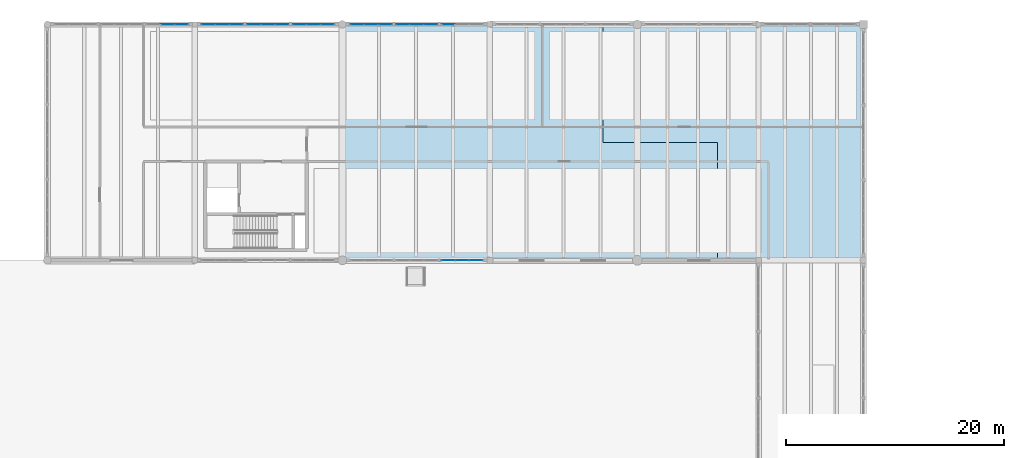
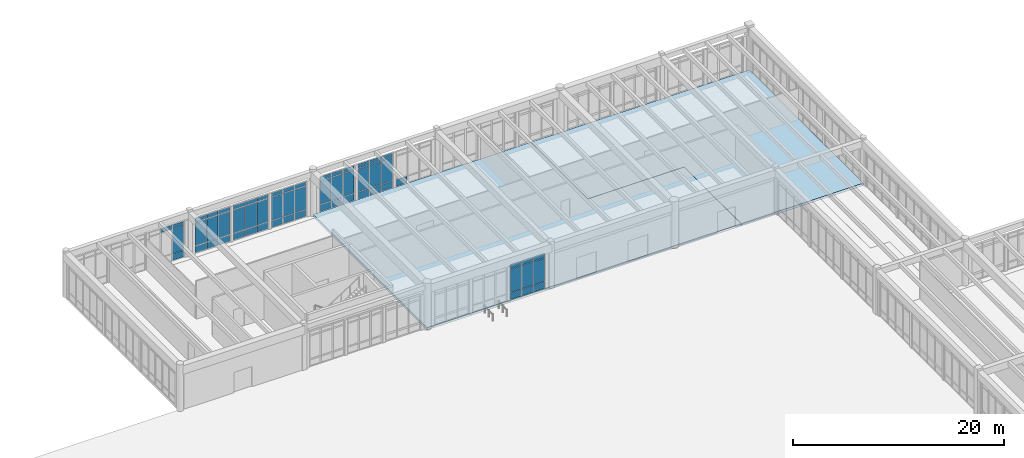
# One storey, part 96 of 138: 59 plates, 2 slabs, 8 elements without a shape of their own.
"""IFC4 building model written with IfcOpenShell, lengths in metres."""

from ifc_helpers import new_model, si_unit, direction, frame, origin, origin_2d, place, context, subcontext, project, spatial, polyline, rectangle, outline, extrude, material, layer, layer_set, type_object, element, aggregate, save


model = new_model("IFC4")

# Units and contexts
model_context = context("Model", 3, precision=1e-05, world=origin(), true_north=direction((0.0, 1.0)))
body_context = subcontext(model_context, "Body", "Model", "MODEL_VIEW")
ifc_project = project(units=[si_unit("LENGTHUNIT", "METRE"), si_unit("AREAUNIT", "SQUARE_METRE"), si_unit("VOLUMEUNIT", "CUBIC_METRE"), si_unit("PLANEANGLEUNIT", "RADIAN"), si_unit("MASSUNIT", "GRAM", prefix="KILO")], contexts=[model_context])

# Site, building, storey
site_placement = place(None, origin())
site = spatial("IfcSite", under=ifc_project, at=site_placement, CompositionType="ELEMENT")
building_placement = place(site_placement, origin())
building = spatial("IfcBuilding", under=site, at=building_placement, Name="Fikremerkos Civic Library", CompositionType="ELEMENT")
storey_placement = place(building_placement, origin())
storey = spatial("IfcBuildingStorey", under=building, at=storey_placement, Name="L00", CompositionType="ELEMENT", Elevation=0.0)

# Curtain wall, plates
ifc_material_1 = material(Name="Anodized aluminium Frame", Category="aluminium")
ifc_layer_1 = layer(ifc_material_1, 0.159912109375, Name="Anodized aluminium Frame")
ifc_layer_set_1 = layer_set([ifc_layer_1], Name="Anodized aluminium Frame")
curtain_wall_type_1 = type_object("IfcCurtainWallType", Name="Unitised curtain wall CW-13 3700x3200", PredefinedType="USERDEFINED", material=ifc_layer_set_1)
curtain_wall_1_placement = place(storey_placement, origin())
curtain_wall_1 = element("IfcCurtainWall", 1, at=curtain_wall_1_placement, inside=storey, type_object=curtain_wall_type_1, Name="Unitised curtain wall CW-13 L00 #31", ObjectType="UNITISED CURTAIN WALL", PredefinedType="USERDEFINED")
ifc_material_2 = material(Name="Solar control double glazing", Category="glass")
ifc_layer_2 = layer(ifc_material_2, 0.028076171875, Name="Solar control double glazing")
ifc_layer_set_2 = layer_set([ifc_layer_2], Name="Solar control double glazing")
plate_type_1 = type_object("IfcPlateType", Name="Curtain glazing panel CWP-01 28", PredefinedType="CURTAIN_PANEL", material=ifc_layer_set_2)
plate_1_placement = place(storey_placement, frame((98.920166015625, 96.0, 0.06005859375), z_axis=(0.0, 0.0, 1.0), x_axis=(-1.0, 0.0, 0.0)))
plate_1 = element("IfcPlate", 2, at=plate_1_placement, type_object=plate_type_1, Name="CW-13 panel 1.1", PredefinedType="CURTAIN_PANEL", context=body_context, shape_type="SweptSolid", body=[
    extrude(rectangle(XDim=1.18359375, YDim=0.028076171875, at=origin_2d()), origin(), (0.0, 0.0, 1.0), 0.760009765625),
])
plate_2_placement = place(storey_placement, frame((98.920166015625, 96.0, 0.880126953125), z_axis=(0.0, 0.0, 1.0), x_axis=(-1.0, 0.0, 0.0)))
plate_2 = element("IfcPlate", 3, at=plate_2_placement, type_object=plate_type_1, Name="CW-13 panel 1.2", PredefinedType="CURTAIN_PANEL", context=body_context, shape_type="SweptSolid", body=[
    extrude(rectangle(XDim=1.18359375, YDim=0.028076171875, at=origin_2d()), origin(), (0.0, 0.0, 1.0), 2.669921875),
])
plate_3_placement = place(storey_placement, frame((98.920166015625, 96.0, 3.610107421875), z_axis=(0.0, 0.0, 1.0), x_axis=(-1.0, 0.0, 0.0)))
plate_3 = element("IfcPlate", 4, at=plate_3_placement, type_object=plate_type_1, Name="CW-13 panel 1.3", PredefinedType="CURTAIN_PANEL", context=body_context, shape_type="SweptSolid", body=[
    extrude(rectangle(XDim=1.18359375, YDim=0.028076171875, at=origin_2d()), origin(), (0.0, 0.0, 1.0), 0.4599609375),
])
plate_4_placement = place(storey_placement, frame((97.655517578125, 96.0, 0.06005859375), z_axis=(0.0, 0.0, 1.0), x_axis=(-1.0, 0.0, 0.0)))
plate_4 = element("IfcPlate", 5, at=plate_4_placement, type_object=plate_type_1, Name="CW-13 panel 2.1", PredefinedType="CURTAIN_PANEL", context=body_context, shape_type="SweptSolid", body=[
    extrude(rectangle(XDim=1.216064453125, YDim=0.028076171875, at=origin_2d()), origin(), (0.0, 0.0, 1.0), 0.760009765625),
])
plate_5_placement = place(storey_placement, frame((97.655517578125, 96.0, 0.880126953125), z_axis=(0.0, 0.0, 1.0), x_axis=(-1.0, 0.0, 0.0)))
plate_5 = element("IfcPlate", 6, at=plate_5_placement, type_object=plate_type_1, Name="CW-13 panel 2.2", PredefinedType="CURTAIN_PANEL", context=body_context, shape_type="SweptSolid", body=[
    extrude(rectangle(XDim=1.216064453125, YDim=0.028076171875, at=origin_2d()), origin(), (0.0, 0.0, 1.0), 2.669921875),
])
plate_6_placement = place(storey_placement, frame((97.655517578125, 96.0, 3.610107421875), z_axis=(0.0, 0.0, 1.0), x_axis=(-1.0, 0.0, 0.0)))
plate_6 = element("IfcPlate", 7, at=plate_6_placement, type_object=plate_type_1, Name="CW-13 panel 2.3", PredefinedType="CURTAIN_PANEL", context=body_context, shape_type="SweptSolid", body=[
    extrude(rectangle(XDim=1.216064453125, YDim=0.028076171875, at=origin_2d()), origin(), (0.0, 0.0, 1.0), 0.4599609375),
])
plate_7_placement = place(storey_placement, frame((96.390869140625, 96.0, 0.06005859375), z_axis=(0.0, 0.0, 1.0), x_axis=(-1.0, 0.0, 0.0)))
plate_7 = element("IfcPlate", 8, at=plate_7_placement, type_object=plate_type_1, Name="CW-13 panel 3.1", PredefinedType="CURTAIN_PANEL", context=body_context, shape_type="SweptSolid", body=[
    extrude(rectangle(XDim=1.18359375, YDim=0.028076171875, at=origin_2d()), origin(), (0.0, 0.0, 1.0), 0.760009765625),
])
plate_8_placement = place(storey_placement, frame((96.390869140625, 96.0, 0.880126953125), z_axis=(0.0, 0.0, 1.0), x_axis=(-1.0, 0.0, 0.0)))
plate_8 = element("IfcPlate", 9, at=plate_8_placement, type_object=plate_type_1, Name="CW-13 panel 3.2", PredefinedType="CURTAIN_PANEL", context=body_context, shape_type="SweptSolid", body=[
    extrude(rectangle(XDim=1.18359375, YDim=0.028076171875, at=origin_2d()), origin(), (0.0, 0.0, 1.0), 2.669921875),
])
plate_9_placement = place(storey_placement, frame((96.390869140625, 96.0, 3.610107421875), z_axis=(0.0, 0.0, 1.0), x_axis=(-1.0, 0.0, 0.0)))
plate_9 = element("IfcPlate", 10, at=plate_9_placement, type_object=plate_type_1, Name="CW-13 panel 3.3", PredefinedType="CURTAIN_PANEL", context=body_context, shape_type="SweptSolid", body=[
    extrude(rectangle(XDim=1.18359375, YDim=0.028076171875, at=origin_2d()), origin(), (0.0, 0.0, 1.0), 0.4599609375),
])
aggregate(curtain_wall_1, [plate_1, plate_2, plate_3, plate_4, plate_5, plate_6, plate_7, plate_8, plate_9])

ifc_layer_3 = layer(ifc_material_1, 0.159912109375, Name="Anodized aluminium Frame")
ifc_layer_set_3 = layer_set([ifc_layer_3], Name="Anodized aluminium Frame")
curtain_wall_type_2 = type_object("IfcCurtainWallType", Name="Unitised curtain wall CW-09 3600x3400", PredefinedType="USERDEFINED", material=ifc_layer_set_3)
curtain_wall_2_placement = place(storey_placement, origin())
curtain_wall_2 = element("IfcCurtainWall", 11, at=curtain_wall_2_placement, inside=storey, type_object=curtain_wall_type_2, Name="Unitised curtain wall CW-09 L00 #45", ObjectType="UNITISED CURTAIN WALL", PredefinedType="USERDEFINED")
plate_10_placement = place(storey_placement, frame((82.7880859375, 117.60009765625, 0.06982421875), z_axis=(0.0, 0.0, 1.0), x_axis=(1.0, 0.0, 0.0)))
plate_10 = element("IfcPlate", 12, at=plate_10_placement, type_object=plate_type_1, Name="CW-09 panel 1.1", PredefinedType="CURTAIN_PANEL", context=body_context, shape_type="SweptSolid", body=[
    extrude(rectangle(XDim=1.194580078125, YDim=0.028076171875, at=origin_2d()), origin(), (0.0, 0.0, 1.0), 0.7451171875),
])
plate_11_placement = place(storey_placement, frame((82.7880859375, 117.60009765625, 0.88525390625), z_axis=(0.0, 0.0, 1.0), x_axis=(1.0, 0.0, 0.0)))
plate_11 = element("IfcPlate", 13, at=plate_11_placement, type_object=plate_type_1, Name="CW-09 panel 1.2", PredefinedType="CURTAIN_PANEL", context=body_context, shape_type="SweptSolid", body=[
    extrude(rectangle(XDim=1.194580078125, YDim=0.028076171875, at=origin_2d()), origin(), (0.0, 0.0, 1.0), 2.659912109375),
])
plate_12_placement = place(storey_placement, frame((82.7880859375, 117.60009765625, 3.61474609375), z_axis=(0.0, 0.0, 1.0), x_axis=(1.0, 0.0, 0.0)))
plate_12 = element("IfcPlate", 14, at=plate_12_placement, type_object=plate_type_1, Name="CW-09 panel 1.3", PredefinedType="CURTAIN_PANEL", context=body_context, shape_type="SweptSolid", body=[
    extrude(rectangle(XDim=1.194580078125, YDim=0.028076171875, at=origin_2d()), origin(), (0.0, 0.0, 1.0), 0.445068359375),
])
plate_13_placement = place(storey_placement, frame((84.063720703125, 117.60009765625, 0.06982421875), z_axis=(0.0, 0.0, 1.0), x_axis=(1.0, 0.0, 0.0)))
plate_13 = element("IfcPlate", 15, at=plate_13_placement, type_object=plate_type_1, Name="CW-09 panel 2.1", PredefinedType="CURTAIN_PANEL", context=body_context, shape_type="SweptSolid", body=[
    extrude(rectangle(XDim=1.22705078125, YDim=0.028076171875, at=origin_2d()), origin(), (0.0, 0.0, 1.0), 0.7451171875),
])
plate_14_placement = place(storey_placement, frame((84.063720703125, 117.60009765625, 0.88525390625), z_axis=(0.0, 0.0, 1.0), x_axis=(1.0, 0.0, 0.0)))
plate_14 = element("IfcPlate", 16, at=plate_14_placement, type_object=plate_type_1, Name="CW-09 panel 2.2", PredefinedType="CURTAIN_PANEL", context=body_context, shape_type="SweptSolid", body=[
    extrude(rectangle(XDim=1.22705078125, YDim=0.028076171875, at=origin_2d()), origin(), (0.0, 0.0, 1.0), 2.659912109375),
])
plate_15_placement = place(storey_placement, frame((84.063720703125, 117.60009765625, 3.61474609375), z_axis=(0.0, 0.0, 1.0), x_axis=(1.0, 0.0, 0.0)))
plate_15 = element("IfcPlate", 17, at=plate_15_placement, type_object=plate_type_1, Name="CW-09 panel 2.3", PredefinedType="CURTAIN_PANEL", context=body_context, shape_type="SweptSolid", body=[
    extrude(rectangle(XDim=1.22705078125, YDim=0.028076171875, at=origin_2d()), origin(), (0.0, 0.0, 1.0), 0.445068359375),
])
plate_16_placement = place(storey_placement, frame((85.339599609375, 117.60009765625, 0.06982421875), z_axis=(0.0, 0.0, 1.0), x_axis=(1.0, 0.0, 0.0)))
plate_16 = element("IfcPlate", 18, at=plate_16_placement, type_object=plate_type_1, Name="CW-09 panel 3.1", PredefinedType="CURTAIN_PANEL", context=body_context, shape_type="SweptSolid", body=[
    extrude(rectangle(XDim=1.194580078125, YDim=0.028076171875, at=origin_2d()), origin(), (0.0, 0.0, 1.0), 0.7451171875),
])
plate_17_placement = place(storey_placement, frame((85.339599609375, 117.60009765625, 0.88525390625), z_axis=(0.0, 0.0, 1.0), x_axis=(1.0, 0.0, 0.0)))
plate_17 = element("IfcPlate", 19, at=plate_17_placement, type_object=plate_type_1, Name="CW-09 panel 3.2", PredefinedType="CURTAIN_PANEL", context=body_context, shape_type="SweptSolid", body=[
    extrude(rectangle(XDim=1.194580078125, YDim=0.028076171875, at=origin_2d()), origin(), (0.0, 0.0, 1.0), 2.659912109375),
])
plate_18_placement = place(storey_placement, frame((85.339599609375, 117.60009765625, 3.61474609375), z_axis=(0.0, 0.0, 1.0), x_axis=(1.0, 0.0, 0.0)))
plate_18 = element("IfcPlate", 20, at=plate_18_placement, type_object=plate_type_1, Name="CW-09 panel 3.3", PredefinedType="CURTAIN_PANEL", context=body_context, shape_type="SweptSolid", body=[
    extrude(rectangle(XDim=1.194580078125, YDim=0.028076171875, at=origin_2d()), origin(), (0.0, 0.0, 1.0), 0.445068359375),
])
aggregate(curtain_wall_2, [plate_10, plate_11, plate_12, plate_13, plate_14, plate_15, plate_16, plate_17, plate_18])

ifc_layer_4 = layer(ifc_material_1, 0.159912109375, Name="Anodized aluminium Frame")
ifc_layer_set_4 = layer_set([ifc_layer_4], Name="Anodized aluminium Frame")
curtain_wall_type_3 = type_object("IfcCurtainWallType", Name="Unitised curtain wall CW-06 4200x4100", PredefinedType="USERDEFINED", material=ifc_layer_set_4)
curtain_wall_3_placement = place(storey_placement, origin())
curtain_wall_3 = element("IfcCurtainWall", 21, at=curtain_wall_3_placement, inside=storey, type_object=curtain_wall_type_3, Name="Unitised curtain wall CW-06 L00 #42", ObjectType="UNITISED CURTAIN WALL", PredefinedType="USERDEFINED")
ifc_layer_5 = layer(ifc_material_2, 0.035888671875, Name="Solar control double glazing")
ifc_layer_set_5 = layer_set([ifc_layer_5], Name="Solar control double glazing")
plate_type_2 = type_object("IfcPlateType", Name="Curtain glazing panel CWP-02 36", PredefinedType="CURTAIN_PANEL", material=ifc_layer_set_5)
plate_19_placement = place(storey_placement, frame((70.680419921875, 117.60009765625, 3.699951171875), z_axis=(0.0, 0.0, 1.0), x_axis=(1.0, 0.0, 0.0)))
plate_19 = element("IfcPlate", 22, at=plate_19_placement, type_object=plate_type_2, Name="CW-06 panel 2.3", PredefinedType="CURTAIN_PANEL", context=body_context, shape_type="SweptSolid", body=[
    extrude(rectangle(XDim=1.237548828125, YDim=0.035888671875, at=origin_2d()), origin(), (0.0, 0.0, 1.0), 0.4599609375),
])
plate_20_placement = place(storey_placement, frame((71.963134765625, 117.60009765625, 0.06005859375), z_axis=(0.0, 0.0, 1.0), x_axis=(1.0, 0.0, 0.0)))
plate_20 = element("IfcPlate", 23, at=plate_20_placement, type_object=plate_type_2, Name="CW-06 panel 3.1", PredefinedType="CURTAIN_PANEL", context=body_context, shape_type="SweptSolid", body=[
    extrude(rectangle(XDim=1.207763671875, YDim=0.035888671875, at=origin_2d()), origin(), (0.0, 0.0, 1.0), 0.760009765625),
])
plate_21_placement = place(storey_placement, frame((71.963134765625, 117.60009765625, 0.8798828125), z_axis=(0.0, 0.0, 1.0), x_axis=(1.0, 0.0, 0.0)))
plate_21 = element("IfcPlate", 24, at=plate_21_placement, type_object=plate_type_2, Name="CW-06 panel 3.2", PredefinedType="CURTAIN_PANEL", context=body_context, shape_type="SweptSolid", body=[
    extrude(rectangle(XDim=1.207763671875, YDim=0.035888671875, at=origin_2d()), origin(), (0.0, 0.0, 1.0), 2.760009765625),
])
plate_22_placement = place(storey_placement, frame((71.963134765625, 117.60009765625, 3.699951171875), z_axis=(0.0, 0.0, 1.0), x_axis=(1.0, 0.0, 0.0)))
plate_22 = element("IfcPlate", 25, at=plate_22_placement, type_object=plate_type_2, Name="CW-06 panel 3.3", PredefinedType="CURTAIN_PANEL", context=body_context, shape_type="SweptSolid", body=[
    extrude(rectangle(XDim=1.207763671875, YDim=0.035888671875, at=origin_2d()), origin(), (0.0, 0.0, 1.0), 0.4599609375),
])
aggregate(curtain_wall_3, [plate_19, plate_20, plate_21, plate_22])

ifc_layer_6 = layer(ifc_material_1, 0.159912109375, Name="Anodized aluminium Frame")
ifc_layer_set_6 = layer_set([ifc_layer_6], Name="Anodized aluminium Frame")
curtain_wall_type_4 = type_object("IfcCurtainWallType", Name="Unitised curtain wall CW-10 4000x3400", PredefinedType="USERDEFINED", material=ifc_layer_set_6)
curtain_wall_4_placement = place(storey_placement, origin())
curtain_wall_4 = element("IfcCurtainWall", 26, at=curtain_wall_4_placement, inside=storey, type_object=curtain_wall_type_4, Name="Unitised curtain wall CW-10 L00 #46", ObjectType="UNITISED CURTAIN WALL", PredefinedType="USERDEFINED")
plate_23_placement = place(storey_placement, frame((88.0576171875, 117.60009765625, 0.06982421875), z_axis=(0.0, 0.0, 1.0), x_axis=(1.0, 0.0, 0.0)))
plate_23 = element("IfcPlate", 27, at=plate_23_placement, type_object=plate_type_2, Name="CW-10 panel 1.1", PredefinedType="CURTAIN_PANEL", context=body_context, shape_type="SweptSolid", body=[
    extrude(rectangle(XDim=1.19921875, YDim=0.035888671875, at=origin_2d()), origin(), (0.0, 0.0, 1.0), 0.7451171875),
])
plate_24_placement = place(storey_placement, frame((88.0576171875, 117.60009765625, 0.88525390625), z_axis=(0.0, 0.0, 1.0), x_axis=(1.0, 0.0, 0.0)))
plate_24 = element("IfcPlate", 28, at=plate_24_placement, type_object=plate_type_2, Name="CW-10 panel 1.2", PredefinedType="CURTAIN_PANEL", context=body_context, shape_type="SweptSolid", body=[
    extrude(rectangle(XDim=1.19921875, YDim=0.035888671875, at=origin_2d()), origin(), (0.0, 0.0, 1.0), 2.659912109375),
])
plate_25_placement = place(storey_placement, frame((88.0576171875, 117.60009765625, 3.61474609375), z_axis=(0.0, 0.0, 1.0), x_axis=(1.0, 0.0, 0.0)))
plate_25 = element("IfcPlate", 29, at=plate_25_placement, type_object=plate_type_2, Name="CW-10 panel 1.3", PredefinedType="CURTAIN_PANEL", context=body_context, shape_type="SweptSolid", body=[
    extrude(rectangle(XDim=1.19921875, YDim=0.035888671875, at=origin_2d()), origin(), (0.0, 0.0, 1.0), 0.445068359375),
])
plate_26_placement = place(storey_placement, frame((89.33203125, 117.60009765625, 0.06982421875), z_axis=(0.0, 0.0, 1.0), x_axis=(1.0, 0.0, 0.0)))
plate_26 = element("IfcPlate", 30, at=plate_26_placement, type_object=plate_type_2, Name="CW-10 panel 2.1", PredefinedType="CURTAIN_PANEL", context=body_context, shape_type="SweptSolid", body=[
    extrude(rectangle(XDim=1.229248046875, YDim=0.035888671875, at=origin_2d()), origin(), (0.0, 0.0, 1.0), 0.7451171875),
])
plate_27_placement = place(storey_placement, frame((89.33203125, 117.60009765625, 0.88525390625), z_axis=(0.0, 0.0, 1.0), x_axis=(1.0, 0.0, 0.0)))
plate_27 = element("IfcPlate", 31, at=plate_27_placement, type_object=plate_type_2, Name="CW-10 panel 2.2", PredefinedType="CURTAIN_PANEL", context=body_context, shape_type="SweptSolid", body=[
    extrude(rectangle(XDim=1.229248046875, YDim=0.035888671875, at=origin_2d()), origin(), (0.0, 0.0, 1.0), 2.659912109375),
])
plate_28_placement = place(storey_placement, frame((89.33203125, 117.60009765625, 3.61474609375), z_axis=(0.0, 0.0, 1.0), x_axis=(1.0, 0.0, 0.0)))
plate_28 = element("IfcPlate", 32, at=plate_28_placement, type_object=plate_type_2, Name="CW-10 panel 2.3", PredefinedType="CURTAIN_PANEL", context=body_context, shape_type="SweptSolid", body=[
    extrude(rectangle(XDim=1.229248046875, YDim=0.035888671875, at=origin_2d()), origin(), (0.0, 0.0, 1.0), 0.445068359375),
])
plate_29_placement = place(storey_placement, frame((90.6064453125, 117.60009765625, 0.06982421875), z_axis=(0.0, 0.0, 1.0), x_axis=(1.0, 0.0, 0.0)))
plate_29 = element("IfcPlate", 33, at=plate_29_placement, type_object=plate_type_2, Name="CW-10 panel 3.1", PredefinedType="CURTAIN_PANEL", context=body_context, shape_type="SweptSolid", body=[
    extrude(rectangle(XDim=1.19921875, YDim=0.035888671875, at=origin_2d()), origin(), (0.0, 0.0, 1.0), 0.7451171875),
])
plate_30_placement = place(storey_placement, frame((90.6064453125, 117.60009765625, 0.88525390625), z_axis=(0.0, 0.0, 1.0), x_axis=(1.0, 0.0, 0.0)))
plate_30 = element("IfcPlate", 34, at=plate_30_placement, type_object=plate_type_2, Name="CW-10 panel 3.2", PredefinedType="CURTAIN_PANEL", context=body_context, shape_type="SweptSolid", body=[
    extrude(rectangle(XDim=1.19921875, YDim=0.035888671875, at=origin_2d()), origin(), (0.0, 0.0, 1.0), 2.659912109375),
])
plate_31_placement = place(storey_placement, frame((90.6064453125, 117.60009765625, 3.61474609375), z_axis=(0.0, 0.0, 1.0), x_axis=(1.0, 0.0, 0.0)))
plate_31 = element("IfcPlate", 35, at=plate_31_placement, type_object=plate_type_2, Name="CW-10 panel 3.3", PredefinedType="CURTAIN_PANEL", context=body_context, shape_type="SweptSolid", body=[
    extrude(rectangle(XDim=1.19921875, YDim=0.035888671875, at=origin_2d()), origin(), (0.0, 0.0, 1.0), 0.445068359375),
])
aggregate(curtain_wall_4, [plate_23, plate_24, plate_25, plate_26, plate_27, plate_28, plate_29, plate_30, plate_31])

ifc_layer_7 = layer(ifc_material_1, 0.159912109375, Name="Anodized aluminium Frame")
ifc_layer_set_7 = layer_set([ifc_layer_7], Name="Anodized aluminium Frame")
curtain_wall_type_5 = type_object("IfcCurtainWallType", Name="Unitised curtain wall CW-07 3500x4100", PredefinedType="USERDEFINED", material=ifc_layer_set_7)
curtain_wall_5_placement = place(storey_placement, origin())
curtain_wall_5 = element("IfcCurtainWall", 36, at=curtain_wall_5_placement, inside=storey, type_object=curtain_wall_type_5, Name="Unitised curtain wall CW-07 L00 #43", ObjectType="UNITISED CURTAIN WALL", PredefinedType="USERDEFINED")
ifc_material_3 = material(Name="Insulated aluminium spandrel", Category="aluminium")
ifc_layer_8 = layer(ifc_material_3, 0.044921875, Name="Insulated aluminium spandrel")
ifc_layer_set_8 = layer_set([ifc_layer_8], Name="Insulated aluminium spandrel")
plate_type_3 = type_object("IfcPlateType", Name="Curtain spandrel panel CSP-01 45", PredefinedType="CURTAIN_PANEL", material=ifc_layer_set_8)
plate_32_placement = place(storey_placement, frame((74.43408203125, 117.60009765625, 0.06982421875), z_axis=(0.0, 0.0, 1.0), x_axis=(1.0, 0.0, 0.0)))
plate_32 = element("IfcPlate", 37, at=plate_32_placement, type_object=plate_type_3, Name="CW-07 panel 1.1", PredefinedType="CURTAIN_PANEL", context=body_context, shape_type="SweptSolid", body=[
    extrude(rectangle(XDim=1.2021484375, YDim=0.044921875, at=origin_2d()), origin(), (0.0, 0.0, 1.0), 0.7451171875),
])
plate_33_placement = place(storey_placement, frame((74.43408203125, 117.60009765625, 0.88525390625), z_axis=(0.0, 0.0, 1.0), x_axis=(1.0, 0.0, 0.0)))
plate_33 = element("IfcPlate", 38, at=plate_33_placement, type_object=plate_type_3, Name="CW-07 panel 1.2", PredefinedType="CURTAIN_PANEL", context=body_context, shape_type="SweptSolid", body=[
    extrude(rectangle(XDim=1.2021484375, YDim=0.044921875, at=origin_2d()), origin(), (0.0, 0.0, 1.0), 2.659912109375),
])
plate_34_placement = place(storey_placement, frame((74.43408203125, 117.60009765625, 3.61474609375), z_axis=(0.0, 0.0, 1.0), x_axis=(1.0, 0.0, 0.0)))
plate_34 = element("IfcPlate", 39, at=plate_34_placement, type_object=plate_type_3, Name="CW-07 panel 1.3", PredefinedType="CURTAIN_PANEL", context=body_context, shape_type="SweptSolid", body=[
    extrude(rectangle(XDim=1.2021484375, YDim=0.044921875, at=origin_2d()), origin(), (0.0, 0.0, 1.0), 0.445068359375),
])
plate_35_placement = place(storey_placement, frame((75.711181640625, 117.60009765625, 0.06982421875), z_axis=(0.0, 0.0, 1.0), x_axis=(1.0, 0.0, 0.0)))
plate_35 = element("IfcPlate", 40, at=plate_35_placement, type_object=plate_type_3, Name="CW-07 panel 2.1", PredefinedType="CURTAIN_PANEL", context=body_context, shape_type="SweptSolid", body=[
    extrude(rectangle(XDim=1.232177734375, YDim=0.044921875, at=origin_2d()), origin(), (0.0, 0.0, 1.0), 0.7451171875),
])
plate_36_placement = place(storey_placement, frame((75.711181640625, 117.60009765625, 0.88525390625), z_axis=(0.0, 0.0, 1.0), x_axis=(1.0, 0.0, 0.0)))
plate_36 = element("IfcPlate", 41, at=plate_36_placement, type_object=plate_type_3, Name="CW-07 panel 2.2", PredefinedType="CURTAIN_PANEL", context=body_context, shape_type="SweptSolid", body=[
    extrude(rectangle(XDim=1.232177734375, YDim=0.044921875, at=origin_2d()), origin(), (0.0, 0.0, 1.0), 2.659912109375),
])
plate_37_placement = place(storey_placement, frame((75.711181640625, 117.60009765625, 3.61474609375), z_axis=(0.0, 0.0, 1.0), x_axis=(1.0, 0.0, 0.0)))
plate_37 = element("IfcPlate", 42, at=plate_37_placement, type_object=plate_type_3, Name="CW-07 panel 2.3", PredefinedType="CURTAIN_PANEL", context=body_context, shape_type="SweptSolid", body=[
    extrude(rectangle(XDim=1.232177734375, YDim=0.044921875, at=origin_2d()), origin(), (0.0, 0.0, 1.0), 0.445068359375),
])
plate_38_placement = place(storey_placement, frame((76.98828125, 117.60009765625, 0.06982421875), z_axis=(0.0, 0.0, 1.0), x_axis=(1.0, 0.0, 0.0)))
plate_38 = element("IfcPlate", 43, at=plate_38_placement, type_object=plate_type_3, Name="CW-07 panel 3.1", PredefinedType="CURTAIN_PANEL", context=body_context, shape_type="SweptSolid", body=[
    extrude(rectangle(XDim=1.2021484375, YDim=0.044921875, at=origin_2d()), origin(), (0.0, 0.0, 1.0), 0.7451171875),
])
plate_39_placement = place(storey_placement, frame((76.98828125, 117.60009765625, 0.88525390625), z_axis=(0.0, 0.0, 1.0), x_axis=(1.0, 0.0, 0.0)))
plate_39 = element("IfcPlate", 44, at=plate_39_placement, type_object=plate_type_3, Name="CW-07 panel 3.2", PredefinedType="CURTAIN_PANEL", context=body_context, shape_type="SweptSolid", body=[
    extrude(rectangle(XDim=1.2021484375, YDim=0.044921875, at=origin_2d()), origin(), (0.0, 0.0, 1.0), 2.659912109375),
])
plate_40_placement = place(storey_placement, frame((76.98828125, 117.60009765625, 3.61474609375), z_axis=(0.0, 0.0, 1.0), x_axis=(1.0, 0.0, 0.0)))
plate_40 = element("IfcPlate", 45, at=plate_40_placement, type_object=plate_type_3, Name="CW-07 panel 3.3", PredefinedType="CURTAIN_PANEL", context=body_context, shape_type="SweptSolid", body=[
    extrude(rectangle(XDim=1.2021484375, YDim=0.044921875, at=origin_2d()), origin(), (0.0, 0.0, 1.0), 0.445068359375),
])
aggregate(curtain_wall_5, [plate_32, plate_33, plate_34, plate_35, plate_36, plate_37, plate_38, plate_39, plate_40])

ifc_layer_9 = layer(ifc_material_1, 0.159912109375, Name="Anodized aluminium Frame")
ifc_layer_set_9 = layer_set([ifc_layer_9], Name="Anodized aluminium Frame")
curtain_wall_type_6 = type_object("IfcCurtainWallType", Name="Unitised curtain wall CW-11 3200x3400", PredefinedType="USERDEFINED", material=ifc_layer_set_9)
curtain_wall_6_placement = place(storey_placement, origin())
curtain_wall_6 = element("IfcCurtainWall", 46, at=curtain_wall_6_placement, inside=storey, type_object=curtain_wall_type_6, Name="Unitised curtain wall CW-11 L00 #47", ObjectType="UNITISED CURTAIN WALL", PredefinedType="USERDEFINED")
plate_41_placement = place(storey_placement, frame((92.2255859375, 117.60009765625, 0.06494140625), z_axis=(0.0, 0.0, 1.0), x_axis=(1.0, 0.0, 0.0)))
plate_41 = element("IfcPlate", 47, at=plate_41_placement, type_object=plate_type_3, Name="CW-11 panel 1.1", PredefinedType="CURTAIN_PANEL", context=body_context, shape_type="SweptSolid", body=[
    extrude(rectangle(XDim=1.19921875, YDim=0.044921875, at=origin_2d()), origin(), (0.0, 0.0, 1.0), 0.75244140625),
])
plate_42_placement = place(storey_placement, frame((92.2255859375, 117.60009765625, 0.882568359375), z_axis=(0.0, 0.0, 1.0), x_axis=(1.0, 0.0, 0.0)))
plate_42 = element("IfcPlate", 48, at=plate_42_placement, type_object=plate_type_3, Name="CW-11 panel 1.2", PredefinedType="CURTAIN_PANEL", context=body_context, shape_type="SweptSolid", body=[
    extrude(rectangle(XDim=1.19921875, YDim=0.044921875, at=origin_2d()), origin(), (0.0, 0.0, 1.0), 2.6650390625),
])
plate_43_placement = place(storey_placement, frame((92.2255859375, 117.60009765625, 3.61279296875), z_axis=(0.0, 0.0, 1.0), x_axis=(1.0, 0.0, 0.0)))
plate_43 = element("IfcPlate", 49, at=plate_43_placement, type_object=plate_type_3, Name="CW-11 panel 1.3", PredefinedType="CURTAIN_PANEL", context=body_context, shape_type="SweptSolid", body=[
    extrude(rectangle(XDim=1.19921875, YDim=0.044921875, at=origin_2d()), origin(), (0.0, 0.0, 1.0), 0.452392578125),
])
plate_44_placement = place(storey_placement, frame((93.5, 117.60009765625, 0.06494140625), z_axis=(0.0, 0.0, 1.0), x_axis=(1.0, 0.0, 0.0)))
plate_44 = element("IfcPlate", 50, at=plate_44_placement, type_object=plate_type_3, Name="CW-11 panel 2.1", PredefinedType="CURTAIN_PANEL", context=body_context, shape_type="SweptSolid", body=[
    extrude(rectangle(XDim=1.229248046875, YDim=0.044921875, at=origin_2d()), origin(), (0.0, 0.0, 1.0), 0.75244140625),
])
plate_45_placement = place(storey_placement, frame((93.5, 117.60009765625, 0.882568359375), z_axis=(0.0, 0.0, 1.0), x_axis=(1.0, 0.0, 0.0)))
plate_45 = element("IfcPlate", 51, at=plate_45_placement, type_object=plate_type_3, Name="CW-11 panel 2.2", PredefinedType="CURTAIN_PANEL", context=body_context, shape_type="SweptSolid", body=[
    extrude(rectangle(XDim=1.229248046875, YDim=0.044921875, at=origin_2d()), origin(), (0.0, 0.0, 1.0), 2.6650390625),
])
plate_46_placement = place(storey_placement, frame((93.5, 117.60009765625, 3.61279296875), z_axis=(0.0, 0.0, 1.0), x_axis=(1.0, 0.0, 0.0)))
plate_46 = element("IfcPlate", 52, at=plate_46_placement, type_object=plate_type_3, Name="CW-11 panel 2.3", PredefinedType="CURTAIN_PANEL", context=body_context, shape_type="SweptSolid", body=[
    extrude(rectangle(XDim=1.229248046875, YDim=0.044921875, at=origin_2d()), origin(), (0.0, 0.0, 1.0), 0.452392578125),
])
plate_47_placement = place(storey_placement, frame((94.7744140625, 117.60009765625, 0.06494140625), z_axis=(0.0, 0.0, 1.0), x_axis=(1.0, 0.0, 0.0)))
plate_47 = element("IfcPlate", 53, at=plate_47_placement, type_object=plate_type_3, Name="CW-11 panel 3.1", PredefinedType="CURTAIN_PANEL", context=body_context, shape_type="SweptSolid", body=[
    extrude(rectangle(XDim=1.19921875, YDim=0.044921875, at=origin_2d()), origin(), (0.0, 0.0, 1.0), 0.75244140625),
])
plate_48_placement = place(storey_placement, frame((94.7744140625, 117.60009765625, 0.882568359375), z_axis=(0.0, 0.0, 1.0), x_axis=(1.0, 0.0, 0.0)))
plate_48 = element("IfcPlate", 54, at=plate_48_placement, type_object=plate_type_3, Name="CW-11 panel 3.2", PredefinedType="CURTAIN_PANEL", context=body_context, shape_type="SweptSolid", body=[
    extrude(rectangle(XDim=1.19921875, YDim=0.044921875, at=origin_2d()), origin(), (0.0, 0.0, 1.0), 2.6650390625),
])
plate_49_placement = place(storey_placement, frame((94.7744140625, 117.60009765625, 3.61279296875), z_axis=(0.0, 0.0, 1.0), x_axis=(1.0, 0.0, 0.0)))
plate_49 = element("IfcPlate", 55, at=plate_49_placement, type_object=plate_type_3, Name="CW-11 panel 3.3", PredefinedType="CURTAIN_PANEL", context=body_context, shape_type="SweptSolid", body=[
    extrude(rectangle(XDim=1.19921875, YDim=0.044921875, at=origin_2d()), origin(), (0.0, 0.0, 1.0), 0.452392578125),
])
aggregate(curtain_wall_6, [plate_41, plate_42, plate_43, plate_44, plate_45, plate_46, plate_47, plate_48, plate_49])

ifc_layer_10 = layer(ifc_material_1, 0.159912109375, Name="Anodized aluminium Frame")
ifc_layer_set_10 = layer_set([ifc_layer_10], Name="Anodized aluminium Frame")
curtain_wall_type_7 = type_object("IfcCurtainWallType", Name="Unitised curtain wall CW-08 4500x4100", PredefinedType="USERDEFINED", material=ifc_layer_set_10)
curtain_wall_7_placement = place(storey_placement, origin())
curtain_wall_7 = element("IfcCurtainWall", 56, at=curtain_wall_7_placement, inside=storey, type_object=curtain_wall_type_7, Name="Unitised curtain wall CW-08 L00 #44", ObjectType="UNITISED CURTAIN WALL", PredefinedType="USERDEFINED")
ifc_layer_11 = layer(ifc_material_3, 0.054931640625, Name="Insulated aluminium spandrel")
ifc_layer_set_11 = layer_set([ifc_layer_11], Name="Insulated aluminium spandrel")
plate_type_4 = type_object("IfcPlateType", Name="Curtain spandrel panel CSP-02 55", PredefinedType="CURTAIN_PANEL", material=ifc_layer_set_11)
plate_50_placement = place(storey_placement, frame((78.6103515625, 117.60009765625, 0.06982421875), z_axis=(0.0, 0.0, 1.0), x_axis=(1.0, 0.0, 0.0)))
plate_50 = element("IfcPlate", 57, at=plate_50_placement, type_object=plate_type_4, Name="CW-08 panel 1.1", PredefinedType="CURTAIN_PANEL", context=body_context, shape_type="SweptSolid", body=[
    extrude(rectangle(XDim=1.2021484375, YDim=0.054931640625, at=origin_2d()), origin(), (0.0, 0.0, 1.0), 0.7451171875),
])
plate_51_placement = place(storey_placement, frame((78.6103515625, 117.60009765625, 0.88525390625), z_axis=(0.0, 0.0, 1.0), x_axis=(1.0, 0.0, 0.0)))
plate_51 = element("IfcPlate", 58, at=plate_51_placement, type_object=plate_type_4, Name="CW-08 panel 1.2", PredefinedType="CURTAIN_PANEL", context=body_context, shape_type="SweptSolid", body=[
    extrude(rectangle(XDim=1.2021484375, YDim=0.054931640625, at=origin_2d()), origin(), (0.0, 0.0, 1.0), 2.659912109375),
])
plate_52_placement = place(storey_placement, frame((78.6103515625, 117.60009765625, 3.61474609375), z_axis=(0.0, 0.0, 1.0), x_axis=(1.0, 0.0, 0.0)))
plate_52 = element("IfcPlate", 59, at=plate_52_placement, type_object=plate_type_4, Name="CW-08 panel 1.3", PredefinedType="CURTAIN_PANEL", context=body_context, shape_type="SweptSolid", body=[
    extrude(rectangle(XDim=1.2021484375, YDim=0.054931640625, at=origin_2d()), origin(), (0.0, 0.0, 1.0), 0.445068359375),
])
plate_53_placement = place(storey_placement, frame((79.887451171875, 117.60009765625, 0.06982421875), z_axis=(0.0, 0.0, 1.0), x_axis=(1.0, 0.0, 0.0)))
plate_53 = element("IfcPlate", 60, at=plate_53_placement, type_object=plate_type_4, Name="CW-08 panel 2.1", PredefinedType="CURTAIN_PANEL", context=body_context, shape_type="SweptSolid", body=[
    extrude(rectangle(XDim=1.232177734375, YDim=0.054931640625, at=origin_2d()), origin(), (0.0, 0.0, 1.0), 0.7451171875),
])
plate_54_placement = place(storey_placement, frame((79.887451171875, 117.60009765625, 0.88525390625), z_axis=(0.0, 0.0, 1.0), x_axis=(1.0, 0.0, 0.0)))
plate_54 = element("IfcPlate", 61, at=plate_54_placement, type_object=plate_type_4, Name="CW-08 panel 2.2", PredefinedType="CURTAIN_PANEL", context=body_context, shape_type="SweptSolid", body=[
    extrude(rectangle(XDim=1.232177734375, YDim=0.054931640625, at=origin_2d()), origin(), (0.0, 0.0, 1.0), 2.659912109375),
])
plate_55_placement = place(storey_placement, frame((79.887451171875, 117.60009765625, 3.61474609375), z_axis=(0.0, 0.0, 1.0), x_axis=(1.0, 0.0, 0.0)))
plate_55 = element("IfcPlate", 62, at=plate_55_placement, type_object=plate_type_4, Name="CW-08 panel 2.3", PredefinedType="CURTAIN_PANEL", context=body_context, shape_type="SweptSolid", body=[
    extrude(rectangle(XDim=1.232177734375, YDim=0.054931640625, at=origin_2d()), origin(), (0.0, 0.0, 1.0), 0.445068359375),
])
plate_56_placement = place(storey_placement, frame((81.16455078125, 117.60009765625, 0.06982421875), z_axis=(0.0, 0.0, 1.0), x_axis=(1.0, 0.0, 0.0)))
plate_56 = element("IfcPlate", 63, at=plate_56_placement, type_object=plate_type_4, Name="CW-08 panel 3.1", PredefinedType="CURTAIN_PANEL", context=body_context, shape_type="SweptSolid", body=[
    extrude(rectangle(XDim=1.2021484375, YDim=0.054931640625, at=origin_2d()), origin(), (0.0, 0.0, 1.0), 0.7451171875),
])
plate_57_placement = place(storey_placement, frame((81.16455078125, 117.60009765625, 0.88525390625), z_axis=(0.0, 0.0, 1.0), x_axis=(1.0, 0.0, 0.0)))
plate_57 = element("IfcPlate", 64, at=plate_57_placement, type_object=plate_type_4, Name="CW-08 panel 3.2", PredefinedType="CURTAIN_PANEL", context=body_context, shape_type="SweptSolid", body=[
    extrude(rectangle(XDim=1.2021484375, YDim=0.054931640625, at=origin_2d()), origin(), (0.0, 0.0, 1.0), 2.659912109375),
])
plate_58_placement = place(storey_placement, frame((81.16455078125, 117.60009765625, 3.61474609375), z_axis=(0.0, 0.0, 1.0), x_axis=(1.0, 0.0, 0.0)))
plate_58 = element("IfcPlate", 65, at=plate_58_placement, type_object=plate_type_4, Name="CW-08 panel 3.3", PredefinedType="CURTAIN_PANEL", context=body_context, shape_type="SweptSolid", body=[
    extrude(rectangle(XDim=1.2021484375, YDim=0.054931640625, at=origin_2d()), origin(), (0.0, 0.0, 1.0), 0.445068359375),
])
aggregate(curtain_wall_7, [plate_50, plate_51, plate_52, plate_53, plate_54, plate_55, plate_56, plate_57, plate_58])

# Curtain wall, plate
ifc_layer_12 = layer(ifc_material_1, 0.159912109375, Name="Anodized aluminium Frame")
ifc_layer_set_12 = layer_set([ifc_layer_12], Name="Anodized aluminium Frame")
curtain_wall_type_8 = type_object("IfcCurtainWallType", Name="Unitised curtain wall CW-12 4300x3400", PredefinedType="USERDEFINED", material=ifc_layer_set_12)
curtain_wall_8_placement = place(storey_placement, origin())
curtain_wall_8 = element("IfcCurtainWall", 66, at=curtain_wall_8_placement, inside=storey, type_object=curtain_wall_type_8, Name="Unitised curtain wall CW-12 L00 #48", ObjectType="UNITISED CURTAIN WALL", PredefinedType="USERDEFINED")
plate_59_placement = place(storey_placement, frame((96.3935546875, 117.60009765625, 0.06494140625), z_axis=(0.0, 0.0, 1.0), x_axis=(1.0, 0.0, 0.0)))
plate_59 = element("IfcPlate", 67, at=plate_59_placement, type_object=plate_type_4, Name="CW-12 panel 1.1", PredefinedType="CURTAIN_PANEL", context=body_context, shape_type="SweptSolid", body=[
    extrude(rectangle(XDim=1.19921875, YDim=0.054931640625, at=origin_2d()), origin(), (0.0, 0.0, 1.0), 0.75244140625),
])
aggregate(curtain_wall_8, [plate_59])

# Slabs
ifc_material_4 = material(Name="Concrete C40/50", Category="concrete")
ifc_layer_13 = layer(ifc_material_4, 0.280029296875, Name="Concrete C40/50")
ifc_layer_set_13 = layer_set([ifc_layer_13], Name="Concrete C40/50")
slab_type = type_object("IfcSlabType", Name="Suspended floor slab SFS-04 280", PredefinedType="FLOOR", material=ifc_layer_set_13)
slab_1_placement = place(storey_placement, frame((0.0, 0.0, -0.280029296875)))
element("IfcSlab", 68, at=slab_1_placement, inside=storey, type_object=slab_type, Name="Floor slab SFS-04 SLB-L00-V2-P-2L1", PredefinedType="FLOOR", context=body_context, shape_type="SweptSolid", body=[
    extrude(outline(polyline([(86.699951171875, 96.0), (121.0400390625, 96.0), (121.0400390625, 106.7958984375), (110.5458984375, 106.7958984375), (110.5458984375, 117.60009765625), (86.699951171875, 117.60009765625), (86.699951171875, 96.0)])), origin(), (0.0, 0.0, 1.0), 0.280029296875),
])
slab_2_placement = place(storey_placement, frame((0.0, 0.0, -0.280029296875)))
element("IfcSlab", 69, at=slab_2_placement, inside=storey, type_object=slab_type, Name="Floor slab SFS-04 SLB-L00-V2-P-2L2", PredefinedType="FLOOR", context=body_context, shape_type="SweptSolid", body=[
    extrude(outline(polyline([(121.048095703125, 96.0), (134.39990234375, 96.0), (134.39990234375, 117.60009765625), (110.553955078125, 117.60009765625), (110.553955078125, 106.803955078125), (121.048095703125, 106.803955078125), (121.048095703125, 96.0)])), origin(), (0.0, 0.0, 1.0), 0.280029296875),
])

save(model, "model.ifc")
